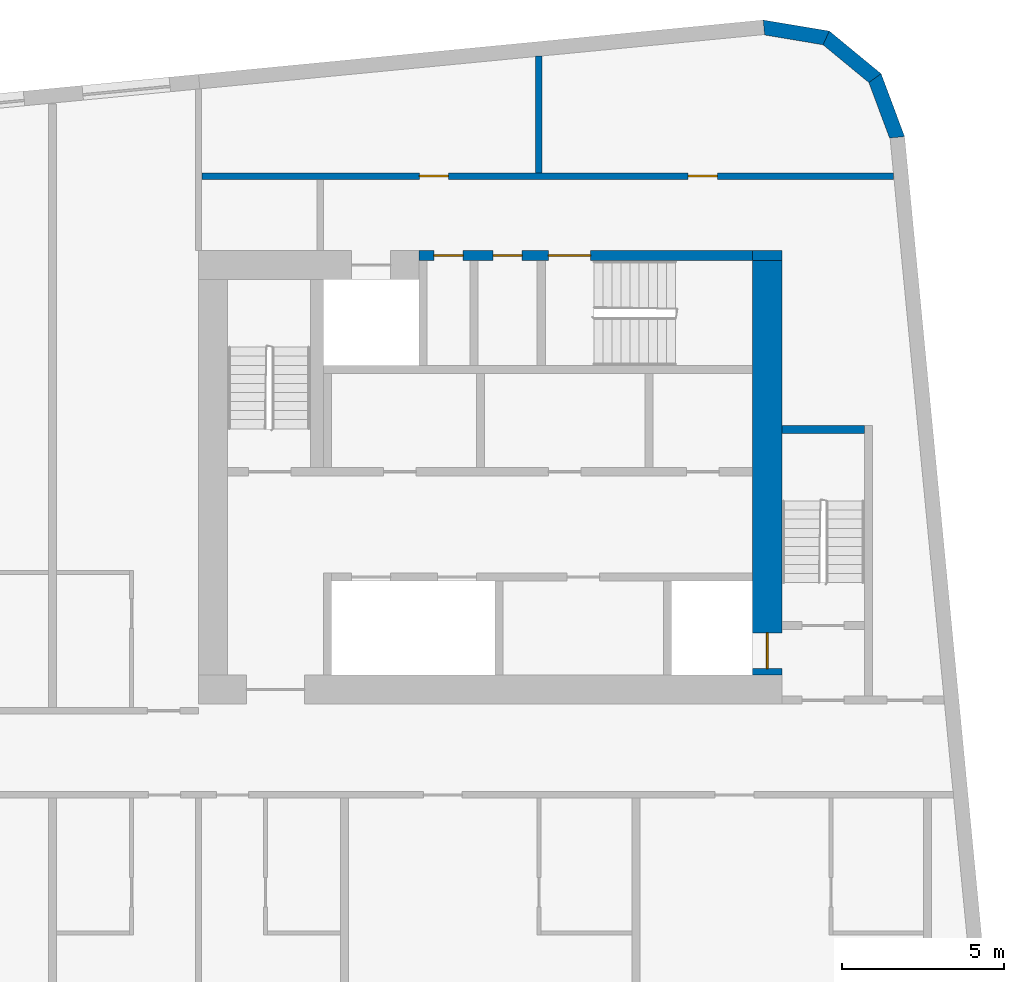
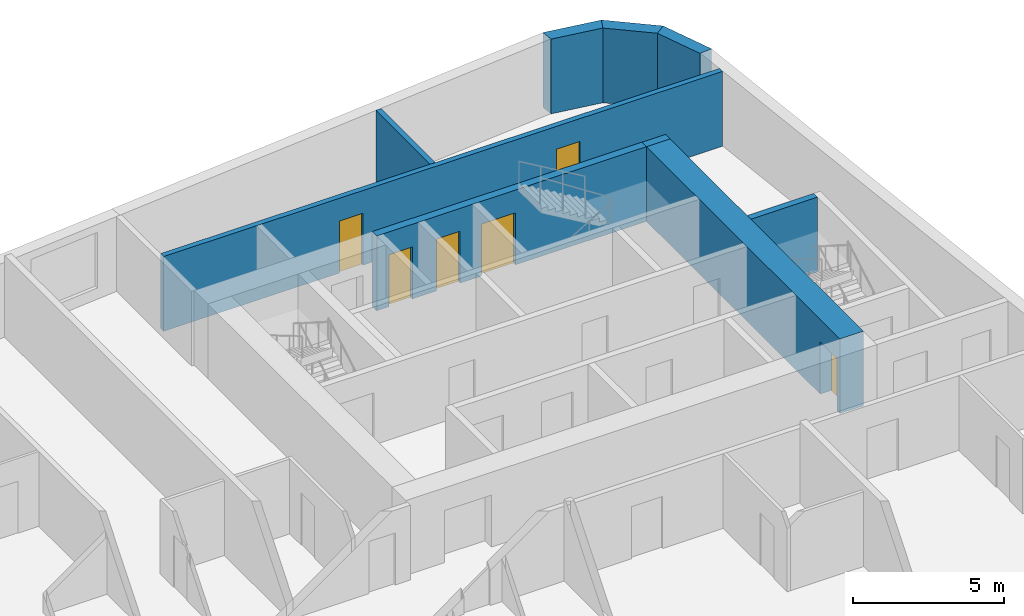
# One storey, part 7 of 11: 9 walls, 6 doors, 6 openings.
"""IFC4 building model written with IfcOpenShell, lengths in metres."""

from ifc_helpers import new_model, si_unit, direction, frame, frame_2d, origin, place, context, subcontext, project, spatial, polyline, rectangle, outline, extrude, material, layer, layer_set, type_object, element, fill, save


model = new_model("IFC4")

# Units and contexts
model_context = context("Model", 3, precision=1e-05, world=origin(), true_north=direction((0.0, 1.0)))
body_context = subcontext(model_context, "Body", "Model", "MODEL_VIEW")
ifc_project = project(units=[si_unit("LENGTHUNIT", "METRE"), si_unit("AREAUNIT", "SQUARE_METRE"), si_unit("VOLUMEUNIT", "CUBIC_METRE"), si_unit("PLANEANGLEUNIT", "RADIAN"), si_unit("MASSUNIT", "GRAM", prefix="KILO")], contexts=[model_context])

# Site, building, storey
site_placement = place(None, origin())
site = spatial("IfcSite", under=ifc_project, at=site_placement, CompositionType="ELEMENT")
building_placement = place(site_placement, origin())
building = spatial("IfcBuilding", under=site, at=building_placement, Name="Kajstack Hotel Tower", CompositionType="ELEMENT")
storey_placement = place(building_placement, frame((0.0, 0.0, 291.60009765625)))
storey = spatial("IfcBuildingStorey", under=building, at=storey_placement, Name="L73", CompositionType="ELEMENT", Elevation=291.60009765625)

# Wall
ifc_material_1 = material(Name="Concrete C60/75", Category="concrete")
ifc_layer_1 = layer(ifc_material_1, 0.89990234375)
ifc_layer_set_1 = layer_set([ifc_layer_1], Name="Core wall 900")
wall_type_1 = type_object("IfcWallType", Name="Core wall 900", PredefinedType="SHEAR", material=ifc_layer_set_1)
wall_1_placement = place(storey_placement, frame((30.60009765625, 15.35009765625, 0.0), z_axis=(0.0, 0.0, 1.0), x_axis=(1.0, 0.0, 0.0)))
element("IfcWall", 1, at=wall_1_placement, inside=storey, type_object=wall_type_1, Name="Core wall E RSW", PredefinedType="SHEAR", context=body_context, shape_type="SweptSolid", body=[
    extrude(rectangle(XDim=0.89990234375, YDim=0.300048828125, at=frame_2d((0.449951171875, 0.0))), origin(), (0.0, 0.0, 1.0), 3.02001953125),
])

# Wall, opening, door
wall_2_placement = place(storey_placement, frame((31.050048828125, 2.39990234375, 0.0), z_axis=(0.0, 0.0, 1.0), x_axis=(0.0, 1.0, 0.0)))
wall_2 = element("IfcWall", 2, at=wall_2_placement, inside=storey, type_object=wall_type_1, Name="Core wall E RW", PredefinedType="SHEAR", context=body_context, shape_type="SweptSolid", body=[
    extrude(rectangle(XDim=12.800048828125, YDim=0.89990234375, at=frame_2d((6.39990234375, 0.0))), origin(), (0.0, 0.0, 1.0), 3.02001953125),
])
opening_1_placement = place(wall_2_placement, frame((0.199951171875, 0.0, 0.0)))
opening_1 = element("IfcOpeningElement", 3, at=opening_1_placement, cuts=wall_2, Name="Opening LD-FF2", PredefinedType="OPENING", context=body_context, shape_type="SweptSolid", body=[
    extrude(rectangle(XDim=1.10009765625, YDim=2.10009765625, at=frame_2d((0.550048828125, 1.050048828125))), frame((0.0, 0.4599609375, 0.0), z_axis=(0.0, -1.0, 0.0), x_axis=(1.0, 0.0, 0.0)), (0.0, 0.0, 1.0), 0.919921875),
])
ifc_material_2 = material(Name="Stainless steel", Category="steel")
door_type_1 = type_object("IfcDoorType", Name="Fire-fighting lift landing door 1100", OperationType="SLIDING_TO_LEFT", PredefinedType="DOOR", material=ifc_material_2)
door_1_placement = place(opening_1_placement, origin())
door_1 = element("IfcDoor", 4, at=door_1_placement, inside=storey, type_object=door_type_1, Name="Landing door FF2", OperationType="SLIDING_TO_LEFT", OverallHeight=2.10009765625, OverallWidth=1.10009765625, PredefinedType="DOOR", context=body_context, shape_type="SweptSolid", body=[
    extrude(rectangle(XDim=1.10009765625, YDim=2.10009765625, at=frame_2d((0.550048828125, 1.050048828125))), frame((0.0, 0.02490234375, 0.0), z_axis=(0.0, -1.0, 0.0), x_axis=(1.0, 0.0, 0.0)), (0.0, 0.0, 1.0), 0.050048828125),
])
fill(opening_1, door_1)

# Walls
ifc_material_3 = material(Name="Terracotta-faced brick masonry", Category="masonry")
ifc_layer_2 = layer(ifc_material_3, 0.449951171875)
ifc_layer_set_2 = layer_set([ifc_layer_2], Name="EW-TERRA")
wall_type_2 = type_object("IfcWallType", Name="EW-TERRA", PredefinedType="SOLIDWALL", material=ifc_layer_set_2)
wall_3_placement = place(storey_placement, frame((35.078369140625, 18.9375, 0.0), z_axis=(0.0, 0.0, 1.0), x_axis=(-0.350192909346, 0.936677599948, 0.0)))
element("IfcWall", 5, at=wall_3_placement, inside=storey, type_object=wall_type_2, Name="E-wall-L73-09-00", PredefinedType="SOLIDWALL", context=body_context, shape_type="SweptSolid", body=[
    extrude(outline(polyline([(0.0, -0.22509765625), (2.070556640625, -0.22509765625), (1.949951171875, 0.224853515625), (0.12060546875, 0.224853515625), (0.0, -0.22509765625)])), origin(), (0.0, 0.0, 1.0), 3.02001953125),
])
wall_4_placement = place(storey_placement, frame((34.4208984375, 20.7822265625, 0.0), z_axis=(0.0, 0.0, 1.0), x_axis=(-0.771593176315, 0.636116318187, 0.0)))
element("IfcWall", 6, at=wall_4_placement, inside=storey, type_object=wall_type_2, Name="E-wall-L73-10-00", PredefinedType="SOLIDWALL", context=body_context, shape_type="SweptSolid", body=[
    extrude(outline(polyline([(0.0, -0.22509765625), (2.070556640625, -0.224853515625), (1.949951171875, 0.22509765625), (0.120361328125, 0.22509765625), (0.0, -0.22509765625)])), origin(), (0.0, 0.0, 1.0), 3.02001953125),
])
wall_5_placement = place(storey_placement, frame((32.92919921875, 22.051025390625, 0.0), z_axis=(0.0, 0.0, 1.0), x_axis=(-0.986298144721, 0.164972633245, 0.0)))
element("IfcWall", 7, at=wall_5_placement, inside=storey, type_object=wall_type_2, Name="E-wall-L73-11-00", PredefinedType="SOLIDWALL", context=body_context, shape_type="SweptSolid", body=[
    extrude(outline(polyline([(0.0, -0.224853515625), (2.0703125, -0.22509765625), (1.949951171875, 0.224853515625), (0.12060546875, 0.22509765625), (0.0, -0.224853515625)])), origin(), (0.0, 0.0, 1.0), 3.02001953125),
])

# Wall, openings, doors
ifc_material_4 = material(Name="Gypsum board on steel studs, mineral wool", Category="steel")
ifc_layer_3 = layer(ifc_material_4, 0.199951171875)
ifc_layer_set_3 = layer_set([ifc_layer_3], Name="Service partition 200")
wall_type_3 = type_object("IfcWallType", Name="Service partition 200", PredefinedType="PARTITIONING", material=ifc_layer_set_3)
wall_6_placement = place(storey_placement, frame((13.60009765625, 17.800048828125, 0.0), z_axis=(0.0, 0.0, 1.0), x_axis=(1.0, 0.0, 0.0)))
wall_6 = element("IfcWall", 8, at=wall_6_placement, inside=storey, type_object=wall_type_3, Name="Partition E SLN", PredefinedType="PARTITIONING", context=body_context, shape_type="SweptSolid", body=[
    extrude(rectangle(XDim=21.35400390625, YDim=0.199951171875, at=frame_2d((10.677001953125, 0.0))), origin(), (0.0, 0.0, 1.0), 3.02001953125),
])
opening_2_placement = place(wall_6_placement, frame((15.012451171875, 0.0, 0.0)))
opening_2 = element("IfcOpeningElement", 9, at=opening_2_placement, cuts=wall_6, Name="Opening 73E17", PredefinedType="OPENING", context=body_context, shape_type="SweptSolid", body=[
    extrude(rectangle(XDim=0.89990234375, YDim=2.10009765625, at=frame_2d((0.449951171875, 1.050048828125))), frame((0.0, 0.10986328125, 0.0), z_axis=(0.0, -1.0, 0.0), x_axis=(1.0, 0.0, 0.0)), (0.0, 0.0, 1.0), 0.219970703125),
])
opening_3_placement = place(wall_6_placement, frame((6.71240234375, 0.0, 0.0)))
opening_3 = element("IfcOpeningElement", 10, at=opening_3_placement, cuts=wall_6, Name="Opening 73E18", PredefinedType="OPENING", context=body_context, shape_type="SweptSolid", body=[
    extrude(rectangle(XDim=0.89990234375, YDim=2.10009765625, at=frame_2d((0.449951171875, 1.050048828125))), frame((0.0, 0.10986328125, 0.0), z_axis=(0.0, -1.0, 0.0), x_axis=(1.0, 0.0, 0.0)), (0.0, 0.0, 1.0), 0.219970703125),
])
ifc_material_5 = material(Name="Timber leaf, fire-rated", Category="wood")
door_type_2 = type_object("IfcDoorType", Name="Service door 900", OperationType="SINGLE_SWING_LEFT", PredefinedType="DOOR", material=ifc_material_5)
door_2_placement = place(opening_2_placement, origin())
door_2 = element("IfcDoor", 11, at=door_2_placement, inside=storey, type_object=door_type_2, Name="Door 73E17", OperationType="SINGLE_SWING_LEFT", OverallHeight=2.10009765625, OverallWidth=0.89990234375, PredefinedType="DOOR", context=body_context, shape_type="SweptSolid", body=[
    extrude(rectangle(XDim=0.89990234375, YDim=2.10009765625, at=frame_2d((0.449951171875, 1.050048828125))), frame((0.0, 0.02490234375, 0.0), z_axis=(0.0, -1.0, 0.0), x_axis=(1.0, 0.0, 0.0)), (0.0, 0.0, 1.0), 0.050048828125),
])
fill(opening_2, door_2)
door_3_placement = place(opening_3_placement, origin())
door_3 = element("IfcDoor", 12, at=door_3_placement, inside=storey, type_object=door_type_2, Name="Door 73E18", OperationType="SINGLE_SWING_LEFT", OverallHeight=2.10009765625, OverallWidth=0.89990234375, PredefinedType="DOOR", context=body_context, shape_type="SweptSolid", body=[
    extrude(rectangle(XDim=0.89990234375, YDim=2.10009765625, at=frame_2d((0.449951171875, 1.050048828125))), frame((0.0, 0.02490234375, 0.0), z_axis=(0.0, -1.0, 0.0), x_axis=(1.0, 0.0, 0.0)), (0.0, 0.0, 1.0), 0.050048828125),
])
fill(opening_3, door_3)

# Wall
wall_7_placement = place(storey_placement, frame((24.0, 17.89990234375, 0.0), z_axis=(0.0, 0.0, 1.0), x_axis=(0.0, 1.0, 0.0)))
element("IfcWall", 13, at=wall_7_placement, inside=storey, type_object=wall_type_3, Name="Partition E SLP0", PredefinedType="PARTITIONING", context=body_context, shape_type="SweptSolid", body=[
    extrude(rectangle(XDim=3.5966796875, YDim=0.199951171875, at=frame_2d((1.79833984375, 0.0))), origin(), (0.0, 0.0, 1.0), 3.02001953125),
])

# Wall, openings, doors
ifc_material_6 = material(Name="Concrete C50/60", Category="concrete")
ifc_layer_4 = layer(ifc_material_6, 0.25)
ifc_layer_set_4 = layer_set([ifc_layer_4], Name="Shaft wall 250")
wall_type_4 = type_object("IfcWallType", Name="Shaft wall 250", PredefinedType="SHEAR", material=ifc_layer_set_4)
wall_8_placement = place(storey_placement, frame((20.300048828125, 15.35009765625, 0.0), z_axis=(0.0, 0.0, 1.0), x_axis=(1.0, 0.0, 0.0)))
wall_8 = element("IfcWall", 14, at=wall_8_placement, inside=storey, type_object=wall_type_4, Name="Core wall E RSS", PredefinedType="SHEAR", context=body_context, shape_type="SweptSolid", body=[
    extrude(rectangle(XDim=10.300048828125, YDim=0.300048828125, at=frame_2d((5.14990234375, 0.0))), origin(), (0.0, 0.0, 1.0), 3.02001953125),
])
opening_4_placement = place(wall_8_placement, frame((4.0, 0.0, 0.0)))
opening_4 = element("IfcOpeningElement", 15, at=opening_4_placement, cuts=wall_8, Name="Opening 73E10", PredefinedType="OPENING", context=body_context, shape_type="SweptSolid", body=[
    extrude(rectangle(XDim=1.300048828125, YDim=2.10009765625, at=frame_2d((0.64990234375, 1.050048828125))), frame((0.0, 0.159912109375, 0.0), z_axis=(0.0, -1.0, 0.0), x_axis=(1.0, 0.0, 0.0)), (0.0, 0.0, 1.0), 0.320068359375),
])
opening_5_placement = place(wall_8_placement, frame((2.28759765625, 0.0, 0.0)))
opening_5 = element("IfcOpeningElement", 16, at=opening_5_placement, cuts=wall_8, Name="Opening 73E11", PredefinedType="OPENING", context=body_context, shape_type="SweptSolid", body=[
    extrude(rectangle(XDim=0.89990234375, YDim=2.10009765625, at=frame_2d((0.449951171875, 1.050048828125))), frame((0.0, 0.159912109375, 0.0), z_axis=(0.0, -1.0, 0.0), x_axis=(1.0, 0.0, 0.0)), (0.0, 0.0, 1.0), 0.320068359375),
])
opening_6_placement = place(wall_8_placement, frame((0.46240234375, 0.0, 0.0)))
opening_6 = element("IfcOpeningElement", 17, at=opening_6_placement, cuts=wall_8, Name="Opening 73E12", PredefinedType="OPENING", context=body_context, shape_type="SweptSolid", body=[
    extrude(rectangle(XDim=0.89990234375, YDim=2.10009765625, at=frame_2d((0.449951171875, 1.050048828125))), frame((0.0, 0.159912109375, 0.0), z_axis=(0.0, -1.0, 0.0), x_axis=(1.0, 0.0, 0.0)), (0.0, 0.0, 1.0), 0.320068359375),
])
door_4_placement = place(opening_5_placement, origin())
door_4 = element("IfcDoor", 18, at=door_4_placement, inside=storey, type_object=door_type_2, Name="Door 73E11", OperationType="SINGLE_SWING_RIGHT", OverallHeight=2.10009765625, OverallWidth=0.89990234375, PredefinedType="DOOR", context=body_context, shape_type="SweptSolid", body=[
    extrude(rectangle(XDim=0.89990234375, YDim=2.10009765625, at=frame_2d((0.449951171875, 1.050048828125))), frame((0.0, 0.02490234375, 0.0), z_axis=(0.0, -1.0, 0.0), x_axis=(1.0, 0.0, 0.0)), (0.0, 0.0, 1.0), 0.050048828125),
])
fill(opening_5, door_4)
door_5_placement = place(opening_6_placement, origin())
door_5 = element("IfcDoor", 19, at=door_5_placement, inside=storey, type_object=door_type_2, Name="Door 73E12", OperationType="SINGLE_SWING_RIGHT", OverallHeight=2.10009765625, OverallWidth=0.89990234375, PredefinedType="DOOR", context=body_context, shape_type="SweptSolid", body=[
    extrude(rectangle(XDim=0.89990234375, YDim=2.10009765625, at=frame_2d((0.449951171875, 1.050048828125))), frame((0.0, 0.02490234375, 0.0), z_axis=(0.0, -1.0, 0.0), x_axis=(1.0, 0.0, 0.0)), (0.0, 0.0, 1.0), 0.050048828125),
])
fill(opening_6, door_5)
ifc_material_7 = material(Name="Steel leaf, fire-rated", Category="steel")
door_type_3 = type_object("IfcDoorType", Name="Stair door 1300", OperationType="SINGLE_SWING_LEFT", PredefinedType="DOOR", material=ifc_material_7)
door_6_placement = place(opening_4_placement, origin())
door_6 = element("IfcDoor", 20, at=door_6_placement, inside=storey, type_object=door_type_3, Name="Door 73E10", OperationType="SINGLE_SWING_LEFT", OverallHeight=2.10009765625, OverallWidth=1.300048828125, PredefinedType="DOOR", context=body_context, shape_type="SweptSolid", body=[
    extrude(rectangle(XDim=1.300048828125, YDim=2.10009765625, at=frame_2d((0.64990234375, 1.050048828125))), frame((0.0, 0.02490234375, 0.0), z_axis=(0.0, -1.0, 0.0), x_axis=(1.0, 0.0, 0.0)), (0.0, 0.0, 1.0), 0.050048828125),
])
fill(opening_4, door_6)

# Wall
ifc_material_8 = material(Name="Concrete C40/50", Category="concrete")
ifc_layer_5 = layer(ifc_material_8, 0.25)
ifc_layer_set_5 = layer_set([ifc_layer_5], Name="Stair enclosure wall 250")
wall_type_5 = type_object("IfcWallType", Name="Stair enclosure wall 250", PredefinedType="SHEAR", material=ifc_layer_set_5)
wall_9_placement = place(storey_placement, frame((31.5, 9.97509765625, 0.0), z_axis=(0.0, 0.0, 1.0), x_axis=(1.0, 0.0, 0.0)))
element("IfcWall", 21, at=wall_9_placement, inside=storey, type_object=wall_type_5, Name="Core wall E W1S", PredefinedType="SHEAR", context=body_context, shape_type="SweptSolid", body=[
    extrude(rectangle(XDim=2.550048828125, YDim=0.25, at=frame_2d((1.27490234375, 0.0))), origin(), (0.0, 0.0, 1.0), 3.02001953125),
])

save(model, "model.ifc")
